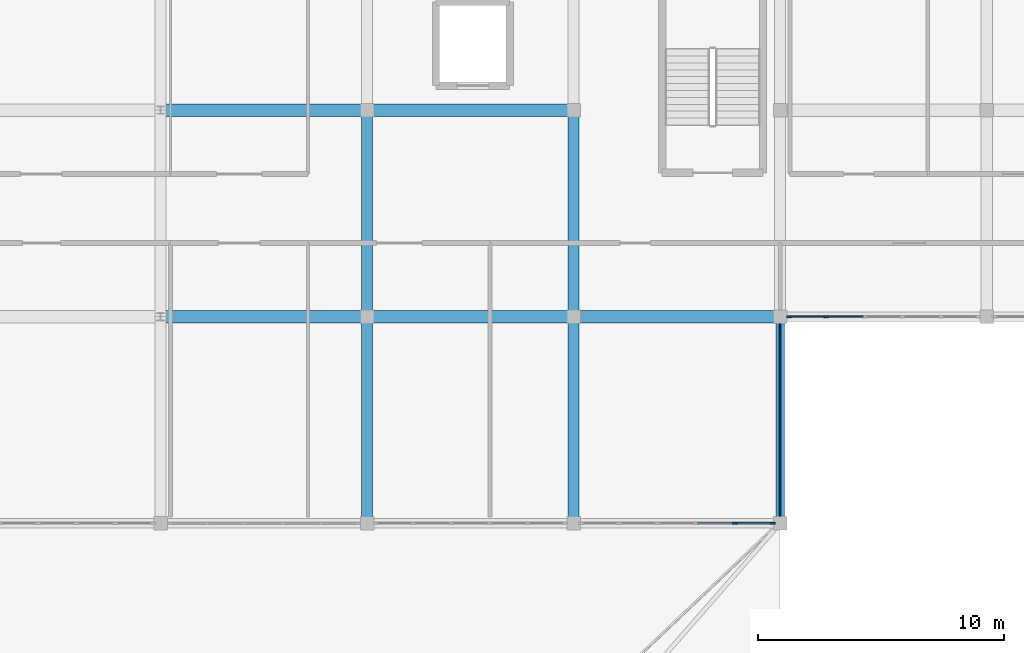
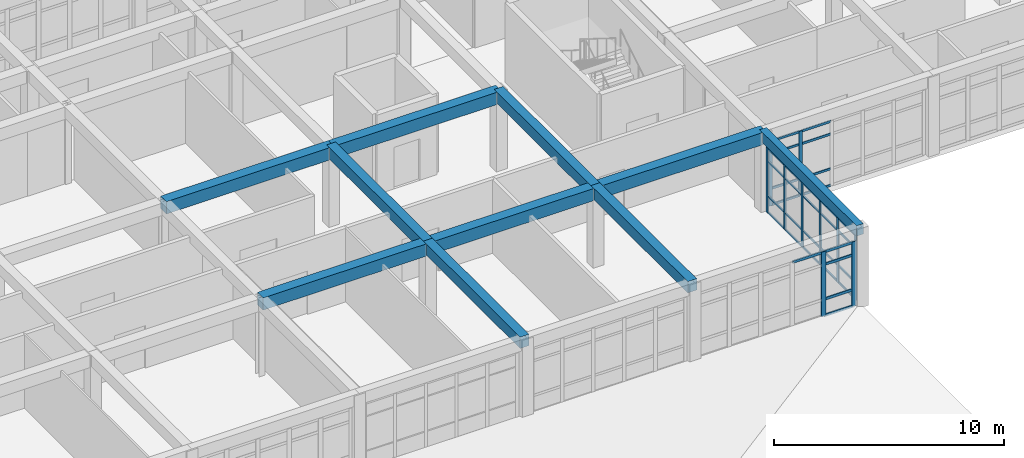
# One storey, part 18 of 77: 43 members, 10 beams, 3 elements without a shape of their own.
"""IFC4 building model written with IfcOpenShell, lengths in metres."""

from ifc_helpers import new_model, si_unit, direction, frame, origin, origin_2d, place, context, subcontext, project, spatial, rectangle, extrude, material, material_profile, profile_set, type_object, element, aggregate, save


model = new_model("IFC4")

# Units and contexts
model_context = context("Model", 3, precision=1e-05, world=origin(), true_north=direction((0.0, 1.0)))
body_context = subcontext(model_context, "Body", "Model", "MODEL_VIEW")
ifc_project = project(units=[si_unit("LENGTHUNIT", "METRE"), si_unit("AREAUNIT", "SQUARE_METRE"), si_unit("VOLUMEUNIT", "CUBIC_METRE"), si_unit("PLANEANGLEUNIT", "RADIAN"), si_unit("MASSUNIT", "GRAM", prefix="KILO")], contexts=[model_context])

# Site, building, storey
site_placement = place(None, origin())
site = spatial("IfcSite", under=ifc_project, at=site_placement, CompositionType="ELEMENT")
building_placement = place(site_placement, origin())
building = spatial("IfcBuilding", under=site, at=building_placement, Name="Varncliffe General Hospital", CompositionType="ELEMENT")
storey_placement = place(building_placement, frame((0.0, 0.0, 16.199951171875)))
storey = spatial("IfcBuildingStorey", under=building, at=storey_placement, Name="L03", CompositionType="ELEMENT", Elevation=16.199951171875)

# Beams
ifc_material_1 = material(Name="Concrete C35/45 (CSA A23.1 35 MPa)", Category="concrete")
ifc_material_profile_1 = material_profile(ifc_material_1, rectangle(XDim=0.5, YDim=0.64990234375, at=origin_2d()), Name="RC 500x650")
ifc_profile_set_1 = profile_set([ifc_material_profile_1], Name="Concrete C35/45 (CSA A23.1 35 MPa)")
beam_type_1 = type_object("IfcBeamType", Name="Beam B29 (Int RC 500x650)", PredefinedType="BEAM", material=ifc_profile_set_1)
beam_1_placement = place(storey_placement, frame((92.39990234375, 82.800048828125, 3.875), z_axis=(1.0, 0.0, 0.0), x_axis=(0.0, 1.0, 0.0)))
element("IfcBeam", 1, at=beam_1_placement, inside=storey, type_object=beam_type_1, Name="L03 Primary Beam B29-76", PredefinedType="BEAM", context=body_context, shape_type="SweptSolid", body=[
    extrude(rectangle(XDim=0.5, YDim=0.64990234375, at=origin_2d()), origin(), (0.0, 0.0, 1.0), 8.400146484375),
])
beam_2_placement = place(storey_placement, frame((100.800048828125, 82.800048828125, 3.875), z_axis=(1.0, 0.0, 0.0), x_axis=(0.0, 1.0, 0.0)))
element("IfcBeam", 2, at=beam_2_placement, inside=storey, type_object=beam_type_1, Name="L03 Primary Beam B29-77", PredefinedType="BEAM", context=body_context, shape_type="SweptSolid", body=[
    extrude(rectangle(XDim=0.5, YDim=0.64990234375, at=origin_2d()), origin(), (0.0, 0.0, 1.0), 8.39990234375),
])
for number, where, z_axis, x_axis, name in (
    (3, (109.199951171875, 82.800048828125, 3.875), (1.0, 0.0, 0.0), (0.0, 1.0, 0.0), "L03 Primary Beam B29-78"),
    (4, (92.39990234375, 91.199951171875, 3.875), (1.0, 0.0, 0.0), (0.0, 1.0, 0.0), "L03 Primary Beam B29-96"),
):
    element("IfcBeam", number, at=place(storey_placement, frame(where, z_axis=z_axis, x_axis=x_axis)), inside=storey, type_object=beam_type_1, Name=name, PredefinedType="BEAM", context=body_context, shape_type="SweptSolid", body=[
        extrude(rectangle(XDim=0.5, YDim=0.64990234375, at=origin_2d()), origin(), (0.0, 0.0, 1.0), 8.400146484375),
    ])
beam_3_placement = place(storey_placement, frame((100.800048828125, 91.199951171875, 3.875), z_axis=(1.0, 0.0, 0.0), x_axis=(0.0, 1.0, 0.0)))
element("IfcBeam", 5, at=beam_3_placement, inside=storey, type_object=beam_type_1, Name="L03 Primary Beam B29-97", PredefinedType="BEAM", context=body_context, shape_type="SweptSolid", body=[
    extrude(rectangle(XDim=0.5, YDim=0.64990234375, at=origin_2d()), origin(), (0.0, 0.0, 1.0), 8.39990234375),
])
ifc_material_profile_2 = material_profile(ifc_material_1, rectangle(XDim=0.449951171875, YDim=0.60009765625, at=origin_2d()), Name="RC 450x600")
ifc_profile_set_2 = profile_set([ifc_material_profile_2], Name="Concrete C35/45 (CSA A23.1 35 MPa)")
beam_type_2 = type_object("IfcBeamType", Name="Beam B47 (Int RC 450x600)", PredefinedType="BEAM", material=ifc_profile_set_2)
beam_4_placement = place(storey_placement, frame((100.800048828125, 74.39990234375, 3.900146484375), z_axis=(0.0, 1.0, 0.0), x_axis=(-1.0, 0.0, 0.0)))
element("IfcBeam", 6, at=beam_4_placement, inside=storey, type_object=beam_type_2, Name="L03 Primary Beam B47-313", PredefinedType="BEAM", context=body_context, shape_type="SweptSolid", body=[
    extrude(rectangle(XDim=0.449951171875, YDim=0.60009765625, at=origin_2d()), origin(), (0.0, 0.0, 1.0), 8.400146484375),
])
beam_5_placement = place(storey_placement, frame((100.800048828125, 82.800048828125, 3.900146484375), z_axis=(0.0, 1.0, 0.0), x_axis=(-1.0, 0.0, 0.0)))
element("IfcBeam", 7, at=beam_5_placement, inside=storey, type_object=beam_type_2, Name="L03 Primary Beam B47-314", PredefinedType="BEAM", context=body_context, shape_type="SweptSolid", body=[
    extrude(rectangle(XDim=0.449951171875, YDim=0.60009765625, at=origin_2d()), origin(), (0.0, 0.0, 1.0), 8.39990234375),
])
beam_6_placement = place(storey_placement, frame((109.199951171875, 74.39990234375, 3.900146484375), z_axis=(0.0, 1.0, 0.0), x_axis=(-1.0, 0.0, 0.0)))
element("IfcBeam", 8, at=beam_6_placement, inside=storey, type_object=beam_type_2, Name="L03 Primary Beam B47-318", PredefinedType="BEAM", context=body_context, shape_type="SweptSolid", body=[
    extrude(rectangle(XDim=0.449951171875, YDim=0.60009765625, at=origin_2d()), origin(), (0.0, 0.0, 1.0), 8.400146484375),
])
beam_7_placement = place(storey_placement, frame((109.199951171875, 82.800048828125, 3.900146484375), z_axis=(0.0, 1.0, 0.0), x_axis=(-1.0, 0.0, 0.0)))
element("IfcBeam", 9, at=beam_7_placement, inside=storey, type_object=beam_type_2, Name="L03 Primary Beam B47-319", PredefinedType="BEAM", context=body_context, shape_type="SweptSolid", body=[
    extrude(rectangle(XDim=0.449951171875, YDim=0.60009765625, at=origin_2d()), origin(), (0.0, 0.0, 1.0), 8.39990234375),
])

# Curtain wall, members
ifc_material_2 = material(Name="Triple low-E argon insulated vision glazing", Category="glass")
curtain_wall_type_1 = type_object("IfcCurtainWallType", Name="Unitised Glazed Curtain Wall CW23 (7774x3440)", PredefinedType="USERDEFINED", material=ifc_material_2)
curtain_wall_1_placement = place(storey_placement, origin())
curtain_wall_1 = element("IfcCurtainWall", 10, at=curtain_wall_1_placement, inside=storey, type_object=curtain_wall_type_1, Name="L03 Glazed Curtain Wall CW23-172", ObjectType="GLAZED CURTAIN WALL", PredefinedType="USERDEFINED")
ifc_material_3 = material(Name="Dark bronze thermally broken aluminium framing", Category="aluminium")
ifc_material_profile_3 = material_profile(ifc_material_3, rectangle(XDim=0.074951171875, YDim=0.179931640625, at=origin_2d()), Name="ALU 75x180")
ifc_profile_set_3 = profile_set([ifc_material_profile_3], Name="Dark bronze thermally broken aluminium framing")
member_type_1 = type_object("IfcMemberType", Name="Curtain Wall Mullion CM44 (ALU 75x180)", PredefinedType="MULLION", material=ifc_profile_set_3)
member_1_placement = place(storey_placement, frame((119.4677734375, 82.800048828125, 0.0), z_axis=(0.0, 0.0, 1.0), x_axis=(0.0, -1.0, 0.0)))
member_1 = element("IfcMember", 11, at=member_1_placement, type_object=member_type_1, Name="CW23 mullion 5", PredefinedType="MULLION", context=body_context, shape_type="SweptSolid", body=[
    extrude(rectangle(XDim=0.074951171875, YDim=0.179931640625, at=origin_2d()), origin(), (0.0, 0.0, 1.0), 3.43994140625),
])
member_2_placement = place(storey_placement, frame((117.950439453125, 82.800048828125, 0.0), z_axis=(0.0, 0.0, 1.0), x_axis=(0.0, -1.0, 0.0)))
member_2 = element("IfcMember", 12, at=member_2_placement, type_object=member_type_1, Name="CW23 mullion 6", PredefinedType="MULLION", context=body_context, shape_type="SweptSolid", body=[
    extrude(rectangle(XDim=0.074951171875, YDim=0.179931640625, at=origin_2d()), origin(), (0.0, 0.0, 1.0), 3.43994140625),
])

curtain_wall_type_2 = type_object("IfcCurtainWallType", Name="Unitised Glazed Curtain Wall CW37 (7694x3440)", PredefinedType="USERDEFINED", material=ifc_material_2)
curtain_wall_2_placement = place(storey_placement, origin())
curtain_wall_2 = element("IfcCurtainWall", 13, at=curtain_wall_2_placement, inside=storey, type_object=curtain_wall_type_2, Name="L03 Glazed Curtain Wall CW37-173", ObjectType="GLAZED CURTAIN WALL", PredefinedType="USERDEFINED")
ifc_material_profile_4 = material_profile(ifc_material_3, rectangle(XDim=0.06494140625, YDim=0.159912109375, at=origin_2d()), Name="ALU 65x160")
ifc_profile_set_4 = profile_set([ifc_material_profile_4], Name="Dark bronze thermally broken aluminium framing")
member_type_2 = type_object("IfcMemberType", Name="Curtain Wall Mullion CM65 (ALU 65x160)", PredefinedType="MULLION", material=ifc_profile_set_4)
member_3_placement = place(storey_placement, frame((117.60009765625, 82.41455078125, 0.0), z_axis=(0.0, 0.0, 1.0), x_axis=(1.0, 0.0, 0.0)))
member_3 = element("IfcMember", 14, at=member_3_placement, type_object=member_type_2, Name="CW37 mullion 1", PredefinedType="MULLION", context=body_context, shape_type="SweptSolid", body=[
    extrude(rectangle(XDim=0.06494140625, YDim=0.159912109375, at=origin_2d()), origin(), (0.0, 0.0, 1.0), 3.43994140625),
])
member_4_placement = place(storey_placement, frame((117.60009765625, 80.908203125, 0.0), z_axis=(0.0, 0.0, 1.0), x_axis=(1.0, 0.0, 0.0)))
member_4 = element("IfcMember", 15, at=member_4_placement, type_object=member_type_2, Name="CW37 mullion 2", PredefinedType="MULLION", context=body_context, shape_type="SweptSolid", body=[
    extrude(rectangle(XDim=0.06494140625, YDim=0.159912109375, at=origin_2d()), origin(), (0.0, 0.0, 1.0), 3.43994140625),
])
member_5_placement = place(storey_placement, frame((117.60009765625, 79.369384765625, 0.0), z_axis=(0.0, 0.0, 1.0), x_axis=(1.0, 0.0, 0.0)))
member_5 = element("IfcMember", 16, at=member_5_placement, type_object=member_type_2, Name="CW37 mullion 3", PredefinedType="MULLION", context=body_context, shape_type="SweptSolid", body=[
    extrude(rectangle(XDim=0.06494140625, YDim=0.159912109375, at=origin_2d()), origin(), (0.0, 0.0, 1.0), 3.43994140625),
])
member_6_placement = place(storey_placement, frame((117.60009765625, 77.83056640625, 0.0), z_axis=(0.0, 0.0, 1.0), x_axis=(1.0, 0.0, 0.0)))
member_6 = element("IfcMember", 17, at=member_6_placement, type_object=member_type_2, Name="CW37 mullion 4", PredefinedType="MULLION", context=body_context, shape_type="SweptSolid", body=[
    extrude(rectangle(XDim=0.06494140625, YDim=0.159912109375, at=origin_2d()), origin(), (0.0, 0.0, 1.0), 3.43994140625),
])
member_7_placement = place(storey_placement, frame((117.60009765625, 76.291748046875, 0.0), z_axis=(0.0, 0.0, 1.0), x_axis=(1.0, 0.0, 0.0)))
member_7 = element("IfcMember", 18, at=member_7_placement, type_object=member_type_2, Name="CW37 mullion 5", PredefinedType="MULLION", context=body_context, shape_type="SweptSolid", body=[
    extrude(rectangle(XDim=0.06494140625, YDim=0.159912109375, at=origin_2d()), origin(), (0.0, 0.0, 1.0), 3.43994140625),
])
member_8_placement = place(storey_placement, frame((117.60009765625, 74.785400390625, 0.0), z_axis=(0.0, 0.0, 1.0), x_axis=(1.0, 0.0, 0.0)))
member_8 = element("IfcMember", 19, at=member_8_placement, type_object=member_type_2, Name="CW37 mullion 6", PredefinedType="MULLION", context=body_context, shape_type="SweptSolid", body=[
    extrude(rectangle(XDim=0.06494140625, YDim=0.159912109375, at=origin_2d()), origin(), (0.0, 0.0, 1.0), 3.43994140625),
])

curtain_wall_type_3 = type_object("IfcCurtainWallType", Name="Unitised Glazed Curtain Wall CW83 (7854x3440)", PredefinedType="USERDEFINED", material=ifc_material_2)
curtain_wall_3_placement = place(storey_placement, origin())
curtain_wall_3 = element("IfcCurtainWall", 20, at=curtain_wall_3_placement, inside=storey, type_object=curtain_wall_type_3, Name="L03 Glazed Curtain Wall CW83-174", ObjectType="GLAZED CURTAIN WALL", PredefinedType="USERDEFINED")
ifc_material_profile_5 = material_profile(ifc_material_3, rectangle(XDim=0.074951171875, YDim=0.219970703125, at=origin_2d()), Name="ALU 75x220")
ifc_profile_set_5 = profile_set([ifc_material_profile_5], Name="Dark bronze thermally broken aluminium framing")
member_type_3 = type_object("IfcMemberType", Name="Curtain Wall Mullion CM74 (ALU 75x220)", PredefinedType="MULLION", material=ifc_profile_set_5)
member_9_placement = place(storey_placement, frame((117.28955078125, 74.39990234375, 0.0), z_axis=(0.0, 0.0, 1.0), x_axis=(0.0, -1.0, 0.0)))
member_9 = element("IfcMember", 21, at=member_9_placement, type_object=member_type_3, Name="CW83 mullion 1", PredefinedType="MULLION", context=body_context, shape_type="SweptSolid", body=[
    extrude(rectangle(XDim=0.074951171875, YDim=0.219970703125, at=origin_2d()), origin(), (0.0, 0.0, 1.0), 3.43994140625),
])
member_10_placement = place(storey_placement, frame((115.756103515625, 74.39990234375, 0.0), z_axis=(0.0, 0.0, 1.0), x_axis=(0.0, -1.0, 0.0)))
member_10 = element("IfcMember", 22, at=member_10_placement, type_object=member_type_3, Name="CW83 mullion 2", PredefinedType="MULLION", context=body_context, shape_type="SweptSolid", body=[
    extrude(rectangle(XDim=0.074951171875, YDim=0.219970703125, at=origin_2d()), origin(), (0.0, 0.0, 1.0), 3.43994140625),
])

# Member
ifc_material_profile_6 = material_profile(ifc_material_3, rectangle(XDim=0.06005859375, YDim=0.1201171875, at=origin_2d()), Name="ALU 60x120")
ifc_profile_set_6 = profile_set([ifc_material_profile_6], Name="Dark bronze thermally broken aluminium framing")
member_type_4 = type_object("IfcMemberType", Name="Curtain Wall Transom CT14 (ALU 60x120)", PredefinedType="USERDEFINED", material=ifc_profile_set_6)
member_11_placement = place(storey_placement, frame((120.985107421875, 82.800048828125, 0.030029296875), z_axis=(-1.0, 0.0, 0.0), x_axis=(0.0, -1.0, 0.0)))
member_11 = element("IfcMember", 23, at=member_11_placement, type_object=member_type_4, Name="CW23 transom 4.1", ObjectType="TRANSOM", PredefinedType="USERDEFINED", context=body_context, shape_type="SweptSolid", body=[
    extrude(rectangle(XDim=0.06005859375, YDim=0.1201171875, at=origin_2d()), origin(), (0.0, 0.0, 1.0), 1.479736328125),
])

member_12_placement = place(storey_placement, frame((120.985107421875, 82.800048828125, 0.900146484375), z_axis=(-1.0, 0.0, 0.0), x_axis=(0.0, -1.0, 0.0)))
member_12 = element("IfcMember", 24, at=member_12_placement, type_object=member_type_4, Name="CW23 transom 4.2", ObjectType="TRANSOM", PredefinedType="USERDEFINED", context=body_context, shape_type="SweptSolid", body=[
    extrude(rectangle(XDim=0.06005859375, YDim=0.1201171875, at=origin_2d()), origin(), (0.0, 0.0, 1.0), 1.479736328125),
])

member_13_placement = place(storey_placement, frame((120.985107421875, 82.800048828125, 2.739990234375), z_axis=(-1.0, 0.0, 0.0), x_axis=(0.0, -1.0, 0.0)))
member_13 = element("IfcMember", 25, at=member_13_placement, type_object=member_type_4, Name="CW23 transom 4.3", ObjectType="TRANSOM", PredefinedType="USERDEFINED", context=body_context, shape_type="SweptSolid", body=[
    extrude(rectangle(XDim=0.06005859375, YDim=0.1201171875, at=origin_2d()), origin(), (0.0, 0.0, 1.0), 1.479736328125),
])

member_14_placement = place(storey_placement, frame((120.985107421875, 82.800048828125, 3.41015625), z_axis=(-1.0, 0.0, 0.0), x_axis=(0.0, -1.0, 0.0)))
member_14 = element("IfcMember", 26, at=member_14_placement, type_object=member_type_4, Name="CW23 transom 4.4", ObjectType="TRANSOM", PredefinedType="USERDEFINED", context=body_context, shape_type="SweptSolid", body=[
    extrude(rectangle(XDim=0.06005859375, YDim=0.1201171875, at=origin_2d()), origin(), (0.0, 0.0, 1.0), 1.479736328125),
])

member_15_placement = place(storey_placement, frame((119.430419921875, 82.800048828125, 0.030029296875), z_axis=(-1.0, 0.0, 0.0), x_axis=(0.0, -1.0, 0.0)))
member_15 = element("IfcMember", 27, at=member_15_placement, type_object=member_type_4, Name="CW23 transom 5.1", ObjectType="TRANSOM", PredefinedType="USERDEFINED", context=body_context, shape_type="SweptSolid", body=[
    extrude(rectangle(XDim=0.06005859375, YDim=0.1201171875, at=origin_2d()), origin(), (0.0, 0.0, 1.0), 1.4423828125),
])

member_16_placement = place(storey_placement, frame((119.430419921875, 82.800048828125, 0.900146484375), z_axis=(-1.0, 0.0, 0.0), x_axis=(0.0, -1.0, 0.0)))
member_16 = element("IfcMember", 28, at=member_16_placement, type_object=member_type_4, Name="CW23 transom 5.2", ObjectType="TRANSOM", PredefinedType="USERDEFINED", context=body_context, shape_type="SweptSolid", body=[
    extrude(rectangle(XDim=0.06005859375, YDim=0.1201171875, at=origin_2d()), origin(), (0.0, 0.0, 1.0), 1.4423828125),
])

member_17_placement = place(storey_placement, frame((119.430419921875, 82.800048828125, 2.739990234375), z_axis=(-1.0, 0.0, 0.0), x_axis=(0.0, -1.0, 0.0)))
member_17 = element("IfcMember", 29, at=member_17_placement, type_object=member_type_4, Name="CW23 transom 5.3", ObjectType="TRANSOM", PredefinedType="USERDEFINED", context=body_context, shape_type="SweptSolid", body=[
    extrude(rectangle(XDim=0.06005859375, YDim=0.1201171875, at=origin_2d()), origin(), (0.0, 0.0, 1.0), 1.4423828125),
])

member_18_placement = place(storey_placement, frame((119.430419921875, 82.800048828125, 3.41015625), z_axis=(-1.0, 0.0, 0.0), x_axis=(0.0, -1.0, 0.0)))
member_18 = element("IfcMember", 30, at=member_18_placement, type_object=member_type_4, Name="CW23 transom 5.4", ObjectType="TRANSOM", PredefinedType="USERDEFINED", context=body_context, shape_type="SweptSolid", body=[
    extrude(rectangle(XDim=0.06005859375, YDim=0.1201171875, at=origin_2d()), origin(), (0.0, 0.0, 1.0), 1.4423828125),
])

aggregate(curtain_wall_1, [member_1, member_2, member_11, member_12, member_13, member_14, member_15, member_16, member_17, member_18])

ifc_material_profile_7 = material_profile(ifc_material_3, rectangle(XDim=0.06005859375, YDim=0.10009765625, at=origin_2d()), Name="ALU 60x100")
ifc_profile_set_7 = profile_set([ifc_material_profile_7], Name="Dark bronze thermally broken aluminium framing")
member_type_5 = type_object("IfcMemberType", Name="Curtain Wall Transom CT18 (ALU 60x100)", PredefinedType="USERDEFINED", material=ifc_profile_set_7)
member_19_placement = place(storey_placement, frame((117.60009765625, 82.382080078125, 0.030029296875), z_axis=(0.0, -1.0, 0.0), x_axis=(1.0, 0.0, 0.0)))
member_19 = element("IfcMember", 31, at=member_19_placement, type_object=member_type_5, Name="CW37 transom 1.1", ObjectType="TRANSOM", PredefinedType="USERDEFINED", context=body_context, shape_type="SweptSolid", body=[
    extrude(rectangle(XDim=0.06005859375, YDim=0.10009765625, at=origin_2d()), origin(), (0.0, 0.0, 1.0), 1.44140625),
])

member_20_placement = place(storey_placement, frame((117.60009765625, 82.382080078125, 0.900146484375), z_axis=(0.0, -1.0, 0.0), x_axis=(1.0, 0.0, 0.0)))
member_20 = element("IfcMember", 32, at=member_20_placement, type_object=member_type_5, Name="CW37 transom 1.2", ObjectType="TRANSOM", PredefinedType="USERDEFINED", context=body_context, shape_type="SweptSolid", body=[
    extrude(rectangle(XDim=0.06005859375, YDim=0.10009765625, at=origin_2d()), origin(), (0.0, 0.0, 1.0), 1.44140625),
])

member_21_placement = place(storey_placement, frame((117.60009765625, 82.382080078125, 2.739990234375), z_axis=(0.0, -1.0, 0.0), x_axis=(1.0, 0.0, 0.0)))
member_21 = element("IfcMember", 33, at=member_21_placement, type_object=member_type_5, Name="CW37 transom 1.3", ObjectType="TRANSOM", PredefinedType="USERDEFINED", context=body_context, shape_type="SweptSolid", body=[
    extrude(rectangle(XDim=0.06005859375, YDim=0.10009765625, at=origin_2d()), origin(), (0.0, 0.0, 1.0), 1.44140625),
])

member_22_placement = place(storey_placement, frame((117.60009765625, 82.382080078125, 3.41015625), z_axis=(0.0, -1.0, 0.0), x_axis=(1.0, 0.0, 0.0)))
member_22 = element("IfcMember", 34, at=member_22_placement, type_object=member_type_5, Name="CW37 transom 1.4", ObjectType="TRANSOM", PredefinedType="USERDEFINED", context=body_context, shape_type="SweptSolid", body=[
    extrude(rectangle(XDim=0.06005859375, YDim=0.10009765625, at=origin_2d()), origin(), (0.0, 0.0, 1.0), 1.44140625),
])

member_23_placement = place(storey_placement, frame((117.60009765625, 80.875732421875, 0.030029296875), z_axis=(0.0, -1.0, 0.0), x_axis=(1.0, 0.0, 0.0)))
member_23 = element("IfcMember", 35, at=member_23_placement, type_object=member_type_5, Name="CW37 transom 2.1", ObjectType="TRANSOM", PredefinedType="USERDEFINED", context=body_context, shape_type="SweptSolid", body=[
    extrude(rectangle(XDim=0.06005859375, YDim=0.10009765625, at=origin_2d()), origin(), (0.0, 0.0, 1.0), 1.473876953125),
])

member_24_placement = place(storey_placement, frame((117.60009765625, 80.875732421875, 0.900146484375), z_axis=(0.0, -1.0, 0.0), x_axis=(1.0, 0.0, 0.0)))
member_24 = element("IfcMember", 36, at=member_24_placement, type_object=member_type_5, Name="CW37 transom 2.2", ObjectType="TRANSOM", PredefinedType="USERDEFINED", context=body_context, shape_type="SweptSolid", body=[
    extrude(rectangle(XDim=0.06005859375, YDim=0.10009765625, at=origin_2d()), origin(), (0.0, 0.0, 1.0), 1.473876953125),
])

member_25_placement = place(storey_placement, frame((117.60009765625, 80.875732421875, 2.739990234375), z_axis=(0.0, -1.0, 0.0), x_axis=(1.0, 0.0, 0.0)))
member_25 = element("IfcMember", 37, at=member_25_placement, type_object=member_type_5, Name="CW37 transom 2.3", ObjectType="TRANSOM", PredefinedType="USERDEFINED", context=body_context, shape_type="SweptSolid", body=[
    extrude(rectangle(XDim=0.06005859375, YDim=0.10009765625, at=origin_2d()), origin(), (0.0, 0.0, 1.0), 1.473876953125),
])

member_26_placement = place(storey_placement, frame((117.60009765625, 80.875732421875, 3.41015625), z_axis=(0.0, -1.0, 0.0), x_axis=(1.0, 0.0, 0.0)))
member_26 = element("IfcMember", 38, at=member_26_placement, type_object=member_type_5, Name="CW37 transom 2.4", ObjectType="TRANSOM", PredefinedType="USERDEFINED", context=body_context, shape_type="SweptSolid", body=[
    extrude(rectangle(XDim=0.06005859375, YDim=0.10009765625, at=origin_2d()), origin(), (0.0, 0.0, 1.0), 1.473876953125),
])

member_27_placement = place(storey_placement, frame((117.60009765625, 79.3369140625, 0.030029296875), z_axis=(0.0, -1.0, 0.0), x_axis=(1.0, 0.0, 0.0)))
member_27 = element("IfcMember", 39, at=member_27_placement, type_object=member_type_5, Name="CW37 transom 3.1", ObjectType="TRANSOM", PredefinedType="USERDEFINED", context=body_context, shape_type="SweptSolid", body=[
    extrude(rectangle(XDim=0.06005859375, YDim=0.10009765625, at=origin_2d()), origin(), (0.0, 0.0, 1.0), 1.473876953125),
])

member_28_placement = place(storey_placement, frame((117.60009765625, 79.3369140625, 0.900146484375), z_axis=(0.0, -1.0, 0.0), x_axis=(1.0, 0.0, 0.0)))
member_28 = element("IfcMember", 40, at=member_28_placement, type_object=member_type_5, Name="CW37 transom 3.2", ObjectType="TRANSOM", PredefinedType="USERDEFINED", context=body_context, shape_type="SweptSolid", body=[
    extrude(rectangle(XDim=0.06005859375, YDim=0.10009765625, at=origin_2d()), origin(), (0.0, 0.0, 1.0), 1.473876953125),
])

member_29_placement = place(storey_placement, frame((117.60009765625, 79.3369140625, 2.739990234375), z_axis=(0.0, -1.0, 0.0), x_axis=(1.0, 0.0, 0.0)))
member_29 = element("IfcMember", 41, at=member_29_placement, type_object=member_type_5, Name="CW37 transom 3.3", ObjectType="TRANSOM", PredefinedType="USERDEFINED", context=body_context, shape_type="SweptSolid", body=[
    extrude(rectangle(XDim=0.06005859375, YDim=0.10009765625, at=origin_2d()), origin(), (0.0, 0.0, 1.0), 1.473876953125),
])

member_30_placement = place(storey_placement, frame((117.60009765625, 79.3369140625, 3.41015625), z_axis=(0.0, -1.0, 0.0), x_axis=(1.0, 0.0, 0.0)))
member_30 = element("IfcMember", 42, at=member_30_placement, type_object=member_type_5, Name="CW37 transom 3.4", ObjectType="TRANSOM", PredefinedType="USERDEFINED", context=body_context, shape_type="SweptSolid", body=[
    extrude(rectangle(XDim=0.06005859375, YDim=0.10009765625, at=origin_2d()), origin(), (0.0, 0.0, 1.0), 1.473876953125),
])

member_31_placement = place(storey_placement, frame((117.60009765625, 77.798095703125, 0.030029296875), z_axis=(0.0, -1.0, 0.0), x_axis=(1.0, 0.0, 0.0)))
member_31 = element("IfcMember", 43, at=member_31_placement, type_object=member_type_5, Name="CW37 transom 4.1", ObjectType="TRANSOM", PredefinedType="USERDEFINED", context=body_context, shape_type="SweptSolid", body=[
    extrude(rectangle(XDim=0.06005859375, YDim=0.10009765625, at=origin_2d()), origin(), (0.0, 0.0, 1.0), 1.473876953125),
])

member_32_placement = place(storey_placement, frame((117.60009765625, 77.798095703125, 0.900146484375), z_axis=(0.0, -1.0, 0.0), x_axis=(1.0, 0.0, 0.0)))
member_32 = element("IfcMember", 44, at=member_32_placement, type_object=member_type_5, Name="CW37 transom 4.2", ObjectType="TRANSOM", PredefinedType="USERDEFINED", context=body_context, shape_type="SweptSolid", body=[
    extrude(rectangle(XDim=0.06005859375, YDim=0.10009765625, at=origin_2d()), origin(), (0.0, 0.0, 1.0), 1.473876953125),
])

member_33_placement = place(storey_placement, frame((117.60009765625, 77.798095703125, 2.739990234375), z_axis=(0.0, -1.0, 0.0), x_axis=(1.0, 0.0, 0.0)))
member_33 = element("IfcMember", 45, at=member_33_placement, type_object=member_type_5, Name="CW37 transom 4.3", ObjectType="TRANSOM", PredefinedType="USERDEFINED", context=body_context, shape_type="SweptSolid", body=[
    extrude(rectangle(XDim=0.06005859375, YDim=0.10009765625, at=origin_2d()), origin(), (0.0, 0.0, 1.0), 1.473876953125),
])

member_34_placement = place(storey_placement, frame((117.60009765625, 77.798095703125, 3.41015625), z_axis=(0.0, -1.0, 0.0), x_axis=(1.0, 0.0, 0.0)))
member_34 = element("IfcMember", 46, at=member_34_placement, type_object=member_type_5, Name="CW37 transom 4.4", ObjectType="TRANSOM", PredefinedType="USERDEFINED", context=body_context, shape_type="SweptSolid", body=[
    extrude(rectangle(XDim=0.06005859375, YDim=0.10009765625, at=origin_2d()), origin(), (0.0, 0.0, 1.0), 1.473876953125),
])

member_35_placement = place(storey_placement, frame((117.60009765625, 76.25927734375, 0.030029296875), z_axis=(0.0, -1.0, 0.0), x_axis=(1.0, 0.0, 0.0)))
member_35 = element("IfcMember", 47, at=member_35_placement, type_object=member_type_5, Name="CW37 transom 5.1", ObjectType="TRANSOM", PredefinedType="USERDEFINED", context=body_context, shape_type="SweptSolid", body=[
    extrude(rectangle(XDim=0.06005859375, YDim=0.10009765625, at=origin_2d()), origin(), (0.0, 0.0, 1.0), 1.441162109375),
])

member_36_placement = place(storey_placement, frame((117.60009765625, 76.25927734375, 0.900146484375), z_axis=(0.0, -1.0, 0.0), x_axis=(1.0, 0.0, 0.0)))
member_36 = element("IfcMember", 48, at=member_36_placement, type_object=member_type_5, Name="CW37 transom 5.2", ObjectType="TRANSOM", PredefinedType="USERDEFINED", context=body_context, shape_type="SweptSolid", body=[
    extrude(rectangle(XDim=0.06005859375, YDim=0.10009765625, at=origin_2d()), origin(), (0.0, 0.0, 1.0), 1.441162109375),
])

member_37_placement = place(storey_placement, frame((117.60009765625, 76.25927734375, 2.739990234375), z_axis=(0.0, -1.0, 0.0), x_axis=(1.0, 0.0, 0.0)))
member_37 = element("IfcMember", 49, at=member_37_placement, type_object=member_type_5, Name="CW37 transom 5.3", ObjectType="TRANSOM", PredefinedType="USERDEFINED", context=body_context, shape_type="SweptSolid", body=[
    extrude(rectangle(XDim=0.06005859375, YDim=0.10009765625, at=origin_2d()), origin(), (0.0, 0.0, 1.0), 1.441162109375),
])

member_38_placement = place(storey_placement, frame((117.60009765625, 76.25927734375, 3.41015625), z_axis=(0.0, -1.0, 0.0), x_axis=(1.0, 0.0, 0.0)))
member_38 = element("IfcMember", 50, at=member_38_placement, type_object=member_type_5, Name="CW37 transom 5.4", ObjectType="TRANSOM", PredefinedType="USERDEFINED", context=body_context, shape_type="SweptSolid", body=[
    extrude(rectangle(XDim=0.06005859375, YDim=0.10009765625, at=origin_2d()), origin(), (0.0, 0.0, 1.0), 1.441162109375),
])

aggregate(curtain_wall_2, [member_3, member_4, member_5, member_6, member_7, member_8, member_19, member_20, member_21, member_22, member_23, member_24, member_25, member_26, member_27, member_28, member_29, member_30, member_31, member_32, member_33, member_34, member_35, member_36, member_37, member_38])

ifc_material_profile_8 = material_profile(ifc_material_3, rectangle(XDim=0.06494140625, YDim=0.139892578125, at=origin_2d()), Name="ALU 65x140")
ifc_profile_set_8 = profile_set([ifc_material_profile_8], Name="Dark bronze thermally broken aluminium framing")
member_type_6 = type_object("IfcMemberType", Name="Curtain Wall Transom CT69 (ALU 65x140)", PredefinedType="USERDEFINED", material=ifc_profile_set_8)
member_39_placement = place(storey_placement, frame((117.251953125, 74.39990234375, 0.032470703125), z_axis=(-1.0, 0.0, 0.0), x_axis=(0.0, -1.0, 0.0)))
member_39 = element("IfcMember", 51, at=member_39_placement, type_object=member_type_6, Name="CW83 transom 1.1", ObjectType="TRANSOM", PredefinedType="USERDEFINED", context=body_context, shape_type="SweptSolid", body=[
    extrude(rectangle(XDim=0.06494140625, YDim=0.139892578125, at=origin_2d()), origin(), (0.0, 0.0, 1.0), 1.458251953125),
])

member_40_placement = place(storey_placement, frame((117.251953125, 74.39990234375, 0.900146484375), z_axis=(-1.0, 0.0, 0.0), x_axis=(0.0, -1.0, 0.0)))
member_40 = element("IfcMember", 52, at=member_40_placement, type_object=member_type_6, Name="CW83 transom 1.2", ObjectType="TRANSOM", PredefinedType="USERDEFINED", context=body_context, shape_type="SweptSolid", body=[
    extrude(rectangle(XDim=0.06494140625, YDim=0.139892578125, at=origin_2d()), origin(), (0.0, 0.0, 1.0), 1.458251953125),
])

member_41_placement = place(storey_placement, frame((117.251953125, 74.39990234375, 2.739990234375), z_axis=(-1.0, 0.0, 0.0), x_axis=(0.0, -1.0, 0.0)))
member_41 = element("IfcMember", 53, at=member_41_placement, type_object=member_type_6, Name="CW83 transom 1.3", ObjectType="TRANSOM", PredefinedType="USERDEFINED", context=body_context, shape_type="SweptSolid", body=[
    extrude(rectangle(XDim=0.06494140625, YDim=0.139892578125, at=origin_2d()), origin(), (0.0, 0.0, 1.0), 1.458251953125),
])

member_42_placement = place(storey_placement, frame((117.251953125, 74.39990234375, 3.407470703125), z_axis=(-1.0, 0.0, 0.0), x_axis=(0.0, -1.0, 0.0)))
member_42 = element("IfcMember", 54, at=member_42_placement, type_object=member_type_6, Name="CW83 transom 1.4", ObjectType="TRANSOM", PredefinedType="USERDEFINED", context=body_context, shape_type="SweptSolid", body=[
    extrude(rectangle(XDim=0.06494140625, YDim=0.139892578125, at=origin_2d()), origin(), (0.0, 0.0, 1.0), 1.458251953125),
])

member_43_placement = place(storey_placement, frame((115.71875, 74.39990234375, 3.407470703125), z_axis=(-1.0, 0.0, 0.0), x_axis=(0.0, -1.0, 0.0)))
member_43 = element("IfcMember", 55, at=member_43_placement, type_object=member_type_6, Name="CW83 transom 2.4", ObjectType="TRANSOM", PredefinedType="USERDEFINED", context=body_context, shape_type="SweptSolid", body=[
    extrude(rectangle(XDim=0.06494140625, YDim=0.139892578125, at=origin_2d()), origin(), (0.0, 0.0, 1.0), 1.495849609375),
])

aggregate(curtain_wall_3, [member_9, member_10, member_39, member_40, member_41, member_42, member_43])

# Beam
ifc_material_profile_9 = material_profile(ifc_material_1, rectangle(XDim=0.35009765625, YDim=0.550048828125, at=origin_2d()), Name="RC 350x550")
ifc_profile_set_9 = profile_set([ifc_material_profile_9], Name="Concrete C35/45 (CSA A23.1 35 MPa)")
beam_type_3 = type_object("IfcBeamType", Name="Spandrel SP20 (Ext RC 350x550)", PredefinedType="SPANDREL", material=ifc_profile_set_9)
beam_8_placement = place(storey_placement, frame((117.60009765625, 74.39990234375, 3.925048828125), z_axis=(0.0, 1.0, 0.0), x_axis=(-1.0, 0.0, 0.0)))
element("IfcBeam", 56, at=beam_8_placement, inside=storey, type_object=beam_type_3, Name="L03 Spandrel Beam SP20-328", PredefinedType="SPANDREL", context=body_context, shape_type="SweptSolid", body=[
    extrude(rectangle(XDim=0.35009765625, YDim=0.550048828125, at=origin_2d()), origin(), (0.0, 0.0, 1.0), 8.400146484375),
])

save(model, "model.ifc")
